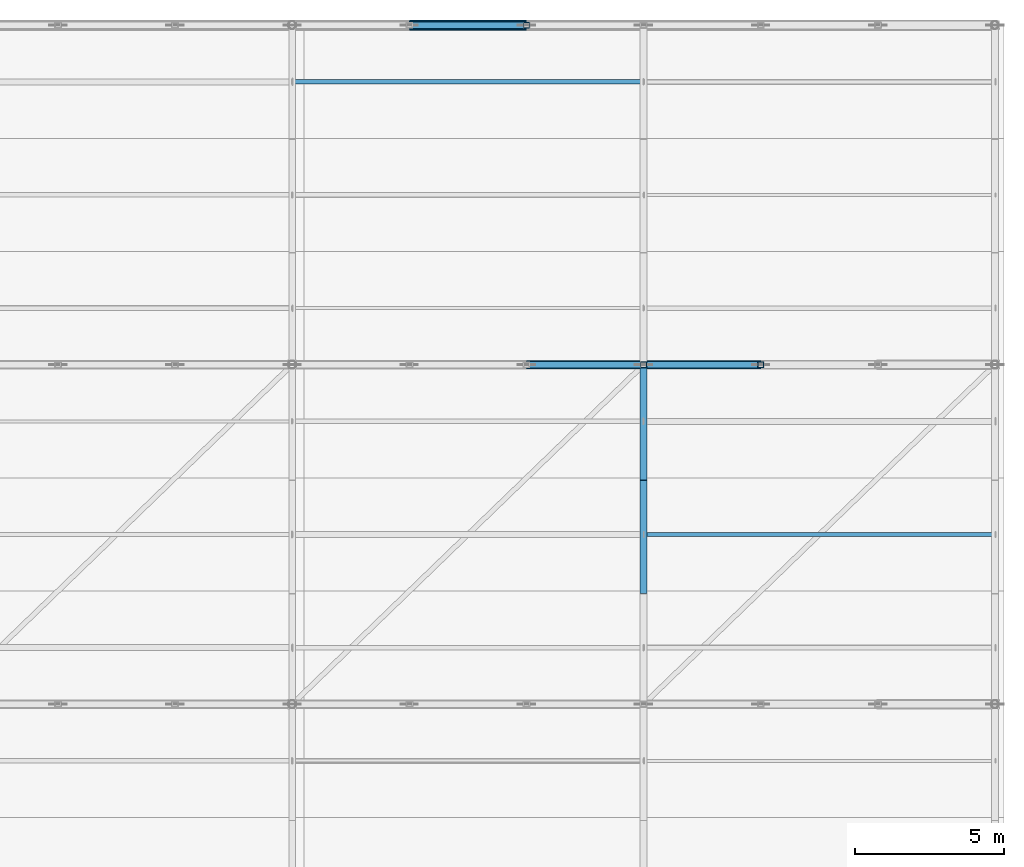
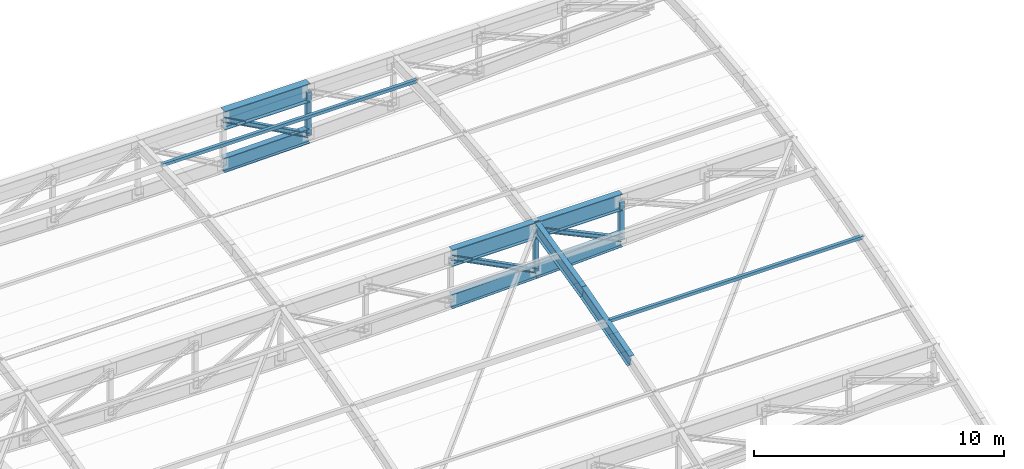
# One storey, part 28 of 65: 10 members, 6 beams.
"""IFC4 building model written with IfcOpenShell, lengths in metres."""

from ifc_helpers import new_model, si_unit, direction, frame, origin, origin_2d, place, context, subcontext, project, spatial, hollow_rectangle, i_section, extrude, material, material_profile, profile_set, type_object, element, save


model = new_model("IFC4")

# Units and contexts
model_context = context("Model", 3, precision=1e-05, world=origin(), true_north=direction((0.0, 1.0)))
body_context = subcontext(model_context, "Body", "Model", "MODEL_VIEW")
ifc_project = project(units=[si_unit("LENGTHUNIT", "METRE"), si_unit("AREAUNIT", "SQUARE_METRE"), si_unit("VOLUMEUNIT", "CUBIC_METRE"), si_unit("PLANEANGLEUNIT", "RADIAN"), si_unit("MASSUNIT", "GRAM", prefix="KILO"), si_unit("POWERUNIT", "WATT"), si_unit("THERMODYNAMICTEMPERATUREUNIT", "KELVIN")], contexts=[model_context])

# Site, building, storey
site_placement = place(None, origin())
site = spatial("IfcSite", under=ifc_project, at=site_placement, CompositionType="ELEMENT")
building_placement = place(site_placement, origin())
building = spatial("IfcBuilding", under=site, at=building_placement, Name="Kelmbourne Parkland Aquatics Centre", CompositionType="ELEMENT")
storey_placement = place(building_placement, frame((0.0, 0.0, 27.0)))
storey = spatial("IfcBuildingStorey", under=building, at=storey_placement, Name="RF", CompositionType="ELEMENT", Elevation=27.0)

# Members
ifc_material_1 = material(Name="Structural steel AS/NZS 3679.1 Grade 300", Category="steel")
ifc_material_profile_1 = material_profile(ifc_material_1, i_section(OverallWidth=0.205078125, OverallDepth=0.2099609375, WebThickness=0.00927734375, FlangeThickness=0.01416015625, at=origin_2d()), Name="200UC59.5")
ifc_profile_set_1 = profile_set([ifc_material_profile_1], Name="Structural steel AS/NZS 3679.1 Grade 300")
member_type_1 = type_object("IfcMemberType", Name="MB-DIAG3", PredefinedType="STRUT", material=ifc_profile_set_1)
member_1_placement = place(storey_placement, frame((159.466796875, 103.39990234375, -0.0166015625), z_axis=(0.889762254621, 0.0, -0.456424287535), x_axis=(0.0, 1.0, 0.0)))
element("IfcMember", 1, at=member_1_placement, inside=storey, type_object=member_type_1, Name="Roof truss R09 web diagonal 9", PredefinedType="STRUT", context=body_context, shape_type="SweptSolid", body=[
    extrude(i_section(OverallWidth=0.205078125, OverallDepth=0.2099609375, WebThickness=0.00927734375, FlangeThickness=0.01416015625, at=origin_2d()), origin(), (0.0, 0.0, 1.0), 4.42041015625),
])
member_2_placement = place(storey_placement, frame((163.39990234375, 103.39990234375, -0.0166015625), z_axis=(0.904702860314, 0.0, -0.426043113475), x_axis=(0.0, 1.0, 0.0)))
element("IfcMember", 2, at=member_2_placement, inside=storey, type_object=member_type_1, Name="Roof truss R09 web diagonal 10", PredefinedType="STRUT", context=body_context, shape_type="SweptSolid", body=[
    extrude(i_section(OverallWidth=0.205078125, OverallDepth=0.2099609375, WebThickness=0.00927734375, FlangeThickness=0.01416015625, at=origin_2d()), origin(), (0.0, 0.0, 1.0), 4.34765625),
])
member_3_placement = place(storey_placement, frame((155.533203125, 114.800048828125, 1.179931640625), z_axis=(0.878842322789, 0.0, -0.477112326057), x_axis=(0.0, 1.0, 0.0)))
element("IfcMember", 3, at=member_3_placement, inside=storey, type_object=member_type_1, Name="Roof truss R10 web diagonal 8", PredefinedType="STRUT", context=body_context, shape_type="SweptSolid", body=[
    extrude(i_section(OverallWidth=0.205078125, OverallDepth=0.2099609375, WebThickness=0.00927734375, FlangeThickness=0.01416015625, at=origin_2d()), origin(), (0.0, 0.0, 1.0), 4.475830078125),
])
ifc_material_profile_2 = material_profile(ifc_material_1, i_section(OverallWidth=0.22900390625, OverallDepth=0.612060546875, WebThickness=0.011962890625, FlangeThickness=0.01953125, at=origin_2d()), Name="610UB125")
ifc_profile_set_2 = profile_set([ifc_material_profile_2], Name="Structural steel AS/NZS 3679.1 Grade 300")
member_type_2 = type_object("IfcMemberType", Name="MB-LRIB", PredefinedType="STRUT", material=ifc_profile_set_2)
member_4_placement = place(storey_placement, frame((163.39990234375, 95.800048828125, -1.85546875), z_axis=(0.0, 0.962176700745, 0.272426130433), x_axis=(-1.0, 0.0, 0.0)))
element("IfcMember", 4, at=member_4_placement, inside=storey, type_object=member_type_2, Name="Longitudinal wave rib K9 strip 26", PredefinedType="STRUT", context=body_context, shape_type="SweptSolid", body=[
    extrude(i_section(OverallWidth=0.22900390625, OverallDepth=0.612060546875, WebThickness=0.011962890625, FlangeThickness=0.01953125, at=origin_2d()), origin(), (0.0, 0.0, 1.0), 3.949462890625),
])
member_5_placement = place(storey_placement, frame((163.39990234375, 99.60009765625, -0.779541015625), z_axis=(0.0, 0.974043015696, 0.226362990733), x_axis=(-1.0, 0.0, 0.0)))
element("IfcMember", 5, at=member_5_placement, inside=storey, type_object=member_type_2, Name="Longitudinal wave rib K9 strip 27", PredefinedType="STRUT", context=body_context, shape_type="SweptSolid", body=[
    extrude(i_section(OverallWidth=0.22900390625, OverallDepth=0.612060546875, WebThickness=0.011962890625, FlangeThickness=0.01953125, at=origin_2d()), origin(), (0.0, 0.0, 1.0), 3.901123046875),
])
ifc_material_2 = material(Name="Cold-formed hollow steel AS/NZS 1163 C350L0", Category="steel")
ifc_material_profile_3 = material_profile(ifc_material_2, hollow_rectangle(XDim=0.199951171875, YDim=0.199951171875, WallThickness=0.010009765625, at=origin_2d()), Name="SHS 200x200x10.0")
ifc_profile_set_3 = profile_set([ifc_material_profile_3], Name="Cold-formed hollow steel AS/NZS 1163 C350L0")
member_type_3 = type_object("IfcMemberType", Name="MB-POST1", PredefinedType="STRUT", material=ifc_profile_set_3)
member_6_placement = place(storey_placement, frame((163.39990234375, 103.39990234375, -2.0341796875), z_axis=(0.0, 0.0, 1.0), x_axis=(1.0, 0.0, 0.0)))
element("IfcMember", 6, at=member_6_placement, inside=storey, type_object=member_type_3, Name="Roof truss R09 vertical post 9", PredefinedType="STRUT", context=body_context, shape_type="SweptSolid", body=[
    extrude(hollow_rectangle(XDim=0.199951171875, YDim=0.199951171875, WallThickness=0.010009765625, at=origin_2d()), origin(), (0.0, 0.0, 1.0), 2.017578125),
])
member_7_placement = place(storey_placement, frame((167.333251953125, 103.39990234375, -1.868896484375), z_axis=(0.0, 0.0, 1.0), x_axis=(1.0, 0.0, 0.0)))
element("IfcMember", 7, at=member_7_placement, inside=storey, type_object=member_type_3, Name="Roof truss R09 vertical post 10", PredefinedType="STRUT", context=body_context, shape_type="SweptSolid", body=[
    extrude(hollow_rectangle(XDim=0.199951171875, YDim=0.199951171875, WallThickness=0.010009765625, at=origin_2d()), origin(), (0.0, 0.0, 1.0), 1.852294921875),
])
member_8_placement = place(storey_placement, frame((159.466796875, 114.800048828125, -0.95556640625), z_axis=(0.0, 0.0, 1.0), x_axis=(1.0, 0.0, 0.0)))
element("IfcMember", 8, at=member_8_placement, inside=storey, type_object=member_type_3, Name="Roof truss R10 vertical post 8", PredefinedType="STRUT", context=body_context, shape_type="SweptSolid", body=[
    extrude(hollow_rectangle(XDim=0.199951171875, YDim=0.199951171875, WallThickness=0.010009765625, at=origin_2d()), origin(), (0.0, 0.0, 1.0), 2.135498046875),
])
ifc_material_profile_4 = material_profile(ifc_material_2, hollow_rectangle(XDim=0.14990234375, YDim=0.14990234375, WallThickness=0.009033203125, at=origin_2d()), Name="SHS 150x150x9.0")
ifc_profile_set_4 = profile_set([ifc_material_profile_4], Name="Cold-formed hollow steel AS/NZS 1163 C350L0")
member_type_4 = type_object("IfcMemberType", Name="MB-PUR4", PredefinedType="PURLIN", material=ifc_profile_set_4)
member_9_placement = place(storey_placement, frame((163.39990234375, 97.699951171875, -1.08251953125), z_axis=(1.0, 0.0, 0.0), x_axis=(0.0, 1.0, 0.0)))
element("IfcMember", 9, at=member_9_placement, inside=storey, type_object=member_type_4, Name="Wave roof purlin S26-G4", PredefinedType="PURLIN", context=body_context, shape_type="SweptSolid", body=[
    extrude(hollow_rectangle(XDim=0.14990234375, YDim=0.14990234375, WallThickness=0.009033203125, at=origin_2d()), origin(), (0.0, 0.0, 1.0), 11.800048828125),
])
member_10_placement = place(storey_placement, frame((151.60009765625, 112.89990234375, 1.466796875), z_axis=(1.0, 0.0, 0.0), x_axis=(0.0, 1.0, 0.0)))
element("IfcMember", 10, at=member_10_placement, inside=storey, type_object=member_type_4, Name="Wave roof purlin S30-G3", PredefinedType="PURLIN", context=body_context, shape_type="SweptSolid", body=[
    extrude(hollow_rectangle(XDim=0.14990234375, YDim=0.14990234375, WallThickness=0.009033203125, at=origin_2d()), origin(), (0.0, 0.0, 1.0), 11.7998046875),
])

# Beams
ifc_material_3 = material(Name="Welded plate steel AS/NZS 3678 Grade 350", Category="steel")
ifc_material_profile_5 = material_profile(ifc_material_3, i_section(OverallWidth=0.27490234375, OverallDepth=0.716064453125, WebThickness=0.011962890625, FlangeThickness=0.02490234375, at=origin_2d()), Name="700WB173")
ifc_profile_set_5 = profile_set([ifc_material_profile_5], Name="Welded plate steel AS/NZS 3678 Grade 350")
beam_type_1 = type_object("IfcBeamType", Name="TR-BC1", PredefinedType="BEAM", material=ifc_profile_set_5)
beam_1_placement = place(storey_placement, frame((155.533203125, 114.800048828125, -1.0263671875), z_axis=(0.999838057221, 0.0, 0.017996092142), x_axis=(0.0, 1.0, 0.0)))
element("IfcBeam", 11, at=beam_1_placement, inside=storey, type_object=beam_type_1, Name="Roof truss R10 bottom chord 8", PredefinedType="BEAM", context=body_context, shape_type="SweptSolid", body=[
    extrude(i_section(OverallWidth=0.27490234375, OverallDepth=0.716064453125, WebThickness=0.011962890625, FlangeThickness=0.02490234375, at=origin_2d()), origin(), (0.0, 0.0, 1.0), 3.934326171875),
])
ifc_material_profile_6 = material_profile(ifc_material_3, i_section(OverallWidth=0.25, OverallDepth=0.699951171875, WebThickness=0.010009765625, FlangeThickness=0.02001953125, at=origin_2d()), Name="700WB130")
ifc_profile_set_6 = profile_set([ifc_material_profile_6], Name="Welded plate steel AS/NZS 3678 Grade 350")
beam_type_2 = type_object("IfcBeamType", Name="TR-BC2", PredefinedType="BEAM", material=ifc_profile_set_6)
beam_2_placement = place(storey_placement, frame((159.466796875, 103.39990234375, -2.152099609375), z_axis=(0.999550861256, 0.0, 0.029967912228), x_axis=(0.0, 1.0, 0.0)))
element("IfcBeam", 12, at=beam_2_placement, inside=storey, type_object=beam_type_2, Name="Roof truss R09 bottom chord 9", PredefinedType="BEAM", context=body_context, shape_type="SweptSolid", body=[
    extrude(i_section(OverallWidth=0.25, OverallDepth=0.699951171875, WebThickness=0.010009765625, FlangeThickness=0.02001953125, at=origin_2d()), origin(), (0.0, 0.0, 1.0), 3.934814453125),
])
beam_3_placement = place(storey_placement, frame((163.39990234375, 103.39990234375, -2.0341796875), z_axis=(0.999118286144, 0.0, 0.041983928975), x_axis=(0.0, 1.0, 0.0)))
element("IfcBeam", 13, at=beam_3_placement, inside=storey, type_object=beam_type_2, Name="Roof truss R09 bottom chord 10", PredefinedType="BEAM", context=body_context, shape_type="SweptSolid", body=[
    extrude(i_section(OverallWidth=0.25, OverallDepth=0.699951171875, WebThickness=0.010009765625, FlangeThickness=0.02001953125, at=origin_2d()), origin(), (0.0, 0.0, 1.0), 3.936767578125),
])
ifc_material_profile_7 = material_profile(ifc_material_3, i_section(OverallWidth=0.35009765625, OverallDepth=0.909912109375, WebThickness=0.011962890625, FlangeThickness=0.02490234375, at=origin_2d()), Name="900WB218")
ifc_profile_set_7 = profile_set([ifc_material_profile_7], Name="Welded plate steel AS/NZS 3678 Grade 350")
beam_type_3 = type_object("IfcBeamType", Name="TR-TC1", PredefinedType="BEAM", material=ifc_profile_set_7)
beam_4_placement = place(storey_placement, frame((155.533203125, 114.800048828125, 1.179931640625), z_axis=(1.0, 0.0, 0.0), x_axis=(0.0, 1.0, 0.0)))
element("IfcBeam", 14, at=beam_4_placement, inside=storey, type_object=beam_type_3, Name="Roof truss R10 top chord 8", PredefinedType="BEAM", context=body_context, shape_type="SweptSolid", body=[
    extrude(i_section(OverallWidth=0.35009765625, OverallDepth=0.909912109375, WebThickness=0.011962890625, FlangeThickness=0.02490234375, at=origin_2d()), origin(), (0.0, 0.0, 1.0), 3.93359375),
])
ifc_material_profile_8 = material_profile(ifc_material_3, i_section(OverallWidth=0.300048828125, OverallDepth=0.81591796875, WebThickness=0.011962890625, FlangeThickness=0.028076171875, at=origin_2d()), Name="800WB192")
ifc_profile_set_8 = profile_set([ifc_material_profile_8], Name="Welded plate steel AS/NZS 3678 Grade 350")
beam_type_4 = type_object("IfcBeamType", Name="TR-TC2", PredefinedType="BEAM", material=ifc_profile_set_8)
beam_5_placement = place(storey_placement, frame((159.466796875, 103.39990234375, -0.0166015625), z_axis=(1.0, 0.0, 0.0), x_axis=(0.0, 1.0, 0.0)))
element("IfcBeam", 15, at=beam_5_placement, inside=storey, type_object=beam_type_4, Name="Roof truss R09 top chord 9", PredefinedType="BEAM", context=body_context, shape_type="SweptSolid", body=[
    extrude(i_section(OverallWidth=0.300048828125, OverallDepth=0.81591796875, WebThickness=0.011962890625, FlangeThickness=0.028076171875, at=origin_2d()), origin(), (0.0, 0.0, 1.0), 3.93310546875),
])
beam_6_placement = place(storey_placement, frame((163.39990234375, 103.39990234375, -0.0166015625), z_axis=(1.0, 0.0, 0.0), x_axis=(0.0, 1.0, 0.0)))
element("IfcBeam", 16, at=beam_6_placement, inside=storey, type_object=beam_type_4, Name="Roof truss R09 top chord 10", PredefinedType="BEAM", context=body_context, shape_type="SweptSolid", body=[
    extrude(i_section(OverallWidth=0.300048828125, OverallDepth=0.81591796875, WebThickness=0.011962890625, FlangeThickness=0.028076171875, at=origin_2d()), origin(), (0.0, 0.0, 1.0), 3.933349609375),
])

save(model, "model.ifc")
